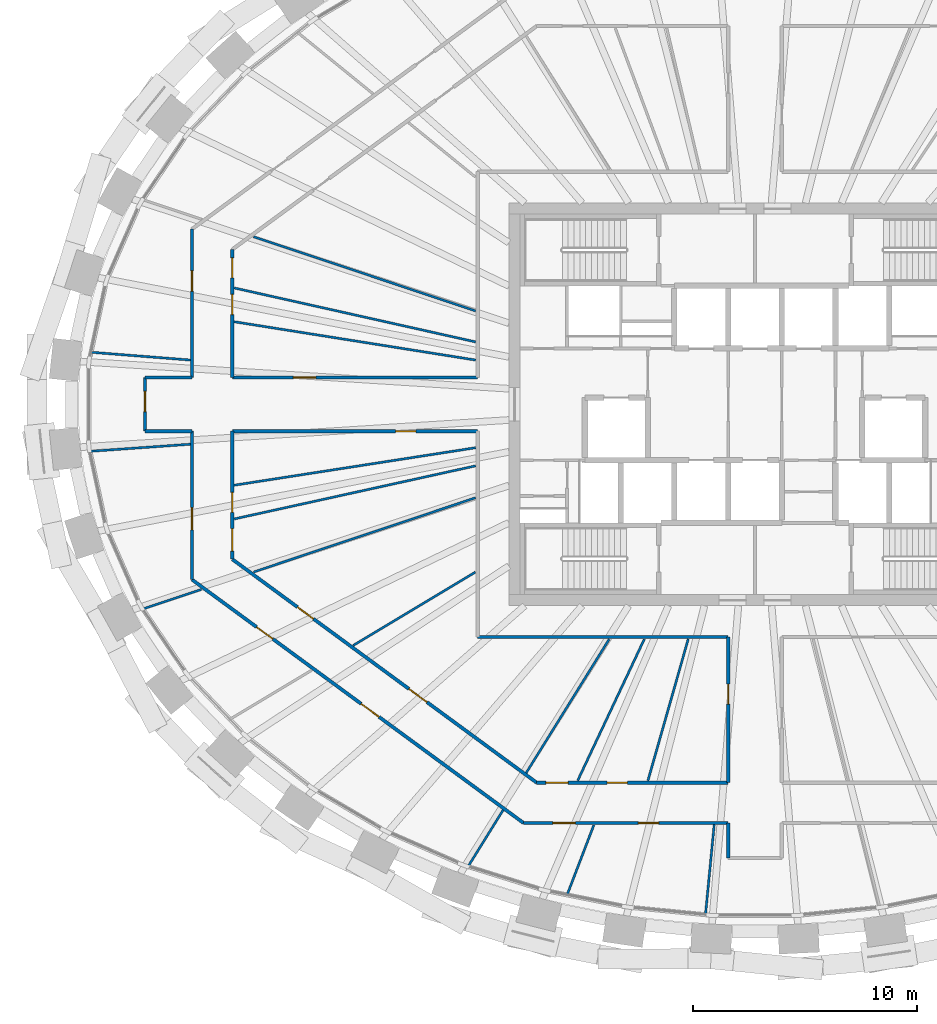
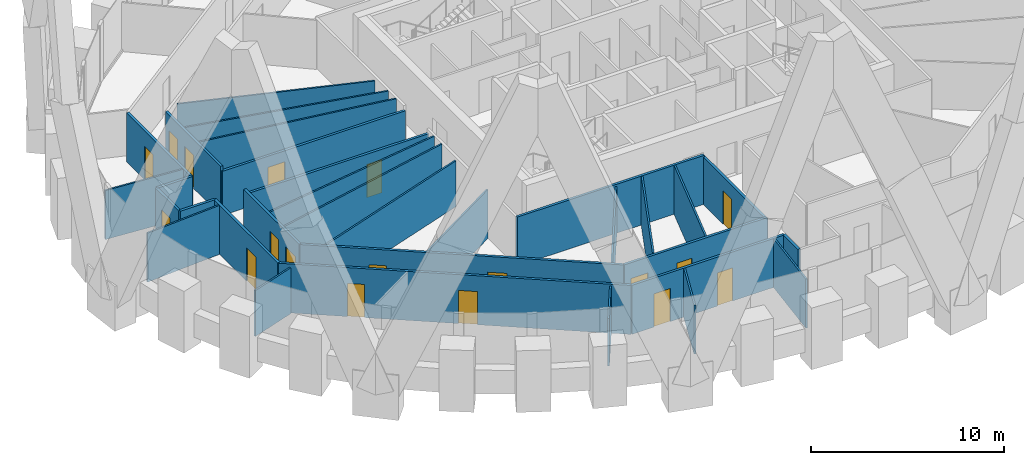
# One storey, part 7 of 14: 32 walls, 18 doors, 18 openings.
"""IFC4 building model written with IfcOpenShell, lengths in metres."""

from ifc_helpers import new_model, si_unit, direction, frame, frame_2d, origin, place, context, subcontext, project, spatial, rectangle, extrude, source, transform, mapped, material, layer, layer_set, type_object, element, fill, save


model = new_model("IFC4")

# Units and contexts
model_context = context("Model", 3, precision=1e-05, world=origin(), true_north=direction((0.0, 1.0)))
body_context = subcontext(model_context, "Body", "Model", "MODEL_VIEW")
ifc_project = project(units=[si_unit("LENGTHUNIT", "METRE"), si_unit("AREAUNIT", "SQUARE_METRE"), si_unit("VOLUMEUNIT", "CUBIC_METRE"), si_unit("PLANEANGLEUNIT", "RADIAN"), si_unit("MASSUNIT", "GRAM", prefix="KILO")], contexts=[model_context])

# Site, building, storey
site_placement = place(None, origin())
site = spatial("IfcSite", under=ifc_project, at=site_placement, CompositionType="ELEMENT")
building_placement = place(site_placement, origin())
building = spatial("IfcBuilding", under=site, at=building_placement, Name="Embergate Tower", CompositionType="ELEMENT")
storey_placement = place(building_placement, frame((0.0, 0.0, 297.39990234375)))
storey = spatial("IfcBuildingStorey", under=building, at=storey_placement, Name="L69", CompositionType="ELEMENT", Elevation=297.39990234375)

# Wall
ifc_material_1 = material(Name="Corridor wall dry-lined 150")
ifc_layer_1 = layer(ifc_material_1, 0.14990234375)
ifc_layer_set_1 = layer_set([ifc_layer_1], Name="Corridor wall dry-lined 150")
wall_type_1 = type_object("IfcWallType", Name="Corridor wall dry-lined 150", PredefinedType="PARTITIONING", material=ifc_layer_set_1)
shared_shape_1 = source(origin(), body_context, "Body", "SweptSolid", [
    extrude(rectangle(XDim=11.199951171875, YDim=0.14990234375, at=frame_2d((5.60009765625, 0.0))), origin(), (0.0, 0.0, 1.0), 3.10009765625),
])
wall_1_placement = place(storey_placement, frame((-12.39990234375, -10.39990234375, 0.0), z_axis=(0.0, 0.0, 1.0), x_axis=(1.0, 0.0, 0.0)))
element("IfcWall", 1, at=wall_1_placement, inside=storey, type_object=wall_type_1, Name="IP-2 wall", PredefinedType="PARTITIONING", context=body_context, shape_type="MappedRepresentation", body=[
    mapped(shared_shape_1, transform((0.0, 0.0, 0.0))),
])

# Wall, opening, door
shared_shape_2 = source(origin(), body_context, "Body", "SweptSolid", [
    extrude(rectangle(XDim=2.39990234375, YDim=0.14990234375, at=frame_2d((1.199951171875, 0.0))), origin(), (0.0, 0.0, 1.0), 3.10009765625),
])
wall_2_placement = place(storey_placement, frame((-27.264892578125, -1.199951171875, 0.0), z_axis=(0.0, 0.0, 1.0), x_axis=(0.0, 1.0, 0.0)))
wall_2 = element("IfcWall", 2, at=wall_2_placement, inside=storey, type_object=wall_type_1, Name="IP-2 wall", PredefinedType="PARTITIONING", context=body_context, shape_type="MappedRepresentation", body=[
    mapped(shared_shape_2, transform((0.0, 0.0, 0.0))),
])
shared_shape_3 = source(origin(), body_context, "Body", "SweptSolid", [
    extrude(rectangle(XDim=0.89990234375, YDim=2.10009765625, at=frame_2d((0.449951171875, 1.050048828125))), frame((0.0, 0.0849609375, 0.0), z_axis=(0.0, -1.0, 0.0), x_axis=(1.0, 0.0, 0.0)), (0.0, 0.0, 1.0), 0.169921875),
])
opening_1_placement = place(wall_2_placement, frame((0.8759765625, 0.0, 0.0)))
opening_1 = element("IfcOpeningElement", 3, at=opening_1_placement, cuts=wall_2, Name="Opening IF-1c", PredefinedType="OPENING", context=body_context, shape_type="MappedRepresentation", body=[
    mapped(shared_shape_3, transform((0.0, 0.0, 0.0))),
])
ifc_material_2 = material(Name="Escape fire door 900")
door_type_1 = type_object("IfcDoorType", Name="Escape fire door 900", OperationType="SINGLE_SWING_LEFT", PredefinedType="DOOR", material=ifc_material_2)
shared_shape_4 = source(origin(), body_context, "Body", "SweptSolid", [
    extrude(rectangle(XDim=0.89990234375, YDim=2.10009765625, at=frame_2d((0.449951171875, 1.050048828125))), frame((0.0, 0.02490234375, 0.0), z_axis=(0.0, -1.0, 0.0), x_axis=(1.0, 0.0, 0.0)), (0.0, 0.0, 1.0), 0.050048828125),
])
door_1_placement = place(opening_1_placement, origin())
door_1 = element("IfcDoor", 4, at=door_1_placement, inside=storey, type_object=door_type_1, Name="IF-1 door", OperationType="SINGLE_SWING_LEFT", OverallHeight=2.10009765625, OverallWidth=0.89990234375, PredefinedType="DOOR", context=body_context, shape_type="MappedRepresentation", body=[
    mapped(shared_shape_4, transform((0.0, 0.0, 0.0))),
])
fill(opening_1, door_1)

# Wall, openings, doors
shared_shape_5 = source(origin(), body_context, "Body", "SweptSolid", [
    extrude(rectangle(XDim=18.38427734375, YDim=0.14990234375, at=frame_2d((9.192138671875, 0.0))), origin(), (0.0, 0.0, 1.0), 3.10009765625),
])
wall_3_placement = place(storey_placement, frame((-25.166015625, -7.833984375, 0.0), z_axis=(0.0, 0.0, 1.0), x_axis=(0.80612330372, -0.591747597545, 0.0)))
wall_3 = element("IfcWall", 5, at=wall_3_placement, inside=storey, type_object=wall_type_1, Name="IP-2 wall", PredefinedType="PARTITIONING", context=body_context, shape_type="MappedRepresentation", body=[
    mapped(shared_shape_5, transform((0.0, 0.0, 0.0))),
])
opening_2_placement = place(wall_3_placement, frame((3.58349609375, 0.0, 0.0)))
opening_2 = element("IfcOpeningElement", 6, at=opening_2_placement, cuts=wall_3, Name="Opening IF-1c", PredefinedType="OPENING", context=body_context, shape_type="MappedRepresentation", body=[
    mapped(shared_shape_3, transform((0.0, 0.0, 0.0))),
])
shared_shape_6 = source(origin(), body_context, "Body", "SweptSolid", [
    extrude(rectangle(XDim=1.0, YDim=2.10009765625, at=frame_2d((0.5, 1.050048828125))), frame((0.0, 0.0849609375, 0.0), z_axis=(0.0, -1.0, 0.0), x_axis=(1.0, 0.0, 0.0)), (0.0, 0.0, 1.0), 0.169921875),
])
opening_3_placement = place(wall_3_placement, frame((9.37744140625, 0.0, 0.0)))
opening_3 = element("IfcOpeningElement", 7, at=opening_3_placement, cuts=wall_3, Name="Opening ID-2", PredefinedType="OPENING", context=body_context, shape_type="MappedRepresentation", body=[
    mapped(shared_shape_6, transform((0.0, 0.0, 0.0))),
])
door_2_placement = place(opening_2_placement, origin())
door_2 = element("IfcDoor", 8, at=door_2_placement, inside=storey, type_object=door_type_1, Name="IF-1 door", OperationType="SINGLE_SWING_RIGHT", OverallHeight=2.10009765625, OverallWidth=0.89990234375, PredefinedType="DOOR", context=body_context, shape_type="MappedRepresentation", body=[
    mapped(shared_shape_4, transform((0.0, 0.0, 0.0))),
])
fill(opening_2, door_2)
ifc_material_3 = material(Name="Interior door 1000")
door_type_2 = type_object("IfcDoorType", Name="Interior door 1000", OperationType="SINGLE_SWING_LEFT", PredefinedType="DOOR", material=ifc_material_3)
shared_shape_7 = source(origin(), body_context, "Body", "SweptSolid", [
    extrude(rectangle(XDim=1.0, YDim=2.10009765625, at=frame_2d((0.5, 1.050048828125))), frame((0.0, 0.02490234375, 0.0), z_axis=(0.0, -1.0, 0.0), x_axis=(1.0, 0.0, 0.0)), (0.0, 0.0, 1.0), 0.050048828125),
])
door_3_placement = place(opening_3_placement, origin())
door_3 = element("IfcDoor", 9, at=door_3_placement, inside=storey, type_object=door_type_2, Name="ID-2 door", OperationType="SINGLE_SWING_LEFT", OverallHeight=2.10009765625, OverallWidth=1.0, PredefinedType="DOOR", context=body_context, shape_type="MappedRepresentation", body=[
    mapped(shared_shape_7, transform((0.0, 0.0, 0.0))),
])
fill(opening_3, door_3)

shared_shape_8 = source(origin(), body_context, "Body", "SweptSolid", [
    extrude(rectangle(XDim=16.8828125, YDim=0.14990234375, at=frame_2d((8.44140625, 0.0))), origin(), (0.0, 0.0, 1.0), 3.10009765625),
])
wall_4_placement = place(storey_placement, frame((-9.756103515625, -16.9130859375, 0.0), z_axis=(0.0, 0.0, 1.0), x_axis=(-0.806138724475, 0.591726589653, 0.0)))
wall_4 = element("IfcWall", 10, at=wall_4_placement, inside=storey, type_object=wall_type_1, Name="IP-2 wall", PredefinedType="PARTITIONING", context=body_context, shape_type="MappedRepresentation", body=[
    mapped(shared_shape_8, transform((0.0, 0.0, 0.0))),
])
opening_4_placement = place(wall_4_placement, frame((12.373779296875, 0.0, 0.0)))
opening_4 = element("IfcOpeningElement", 11, at=opening_4_placement, cuts=wall_4, Name="Opening IF-1c", PredefinedType="OPENING", context=body_context, shape_type="MappedRepresentation", body=[
    mapped(shared_shape_3, transform((0.0, 0.0, 0.0))),
])
opening_5_placement = place(wall_4_placement, frame((6.087890625, 0.0, 0.0)))
opening_5 = element("IfcOpeningElement", 12, at=opening_5_placement, cuts=wall_4, Name="Opening ID-2", PredefinedType="OPENING", context=body_context, shape_type="MappedRepresentation", body=[
    mapped(shared_shape_6, transform((0.0, 0.0, 0.0))),
])
door_4_placement = place(opening_4_placement, origin())
door_4 = element("IfcDoor", 13, at=door_4_placement, inside=storey, type_object=door_type_1, Name="IF-1 door", OperationType="SINGLE_SWING_LEFT", OverallHeight=2.10009765625, OverallWidth=0.89990234375, PredefinedType="DOOR", context=body_context, shape_type="MappedRepresentation", body=[
    mapped(shared_shape_4, transform((0.0, 0.0, 0.0))),
])
fill(opening_4, door_4)
door_5_placement = place(opening_5_placement, origin())
door_5 = element("IfcDoor", 14, at=door_5_placement, inside=storey, type_object=door_type_2, Name="ID-2 door", OperationType="SINGLE_SWING_LEFT", OverallHeight=2.10009765625, OverallWidth=1.0, PredefinedType="DOOR", context=body_context, shape_type="MappedRepresentation", body=[
    mapped(shared_shape_7, transform((0.0, 0.0, 0.0))),
])
fill(opening_5, door_5)

shared_shape_9 = source(origin(), body_context, "Body", "SweptSolid", [
    extrude(rectangle(XDim=9.14599609375, YDim=0.14990234375, at=frame_2d((4.572998046875, 0.0))), origin(), (0.0, 0.0, 1.0), 3.10009765625),
])
wall_5_placement = place(storey_placement, frame((-10.345947265625, -18.712890625, 0.0), z_axis=(0.0, 0.0, 1.0), x_axis=(1.0, 0.0, 0.0)))
wall_5 = element("IfcWall", 15, at=wall_5_placement, inside=storey, type_object=wall_type_1, Name="IP-2 wall", PredefinedType="PARTITIONING", context=body_context, shape_type="MappedRepresentation", body=[
    mapped(shared_shape_9, transform((0.0, 0.0, 0.0))),
])
opening_6_placement = place(wall_5_placement, frame((1.31298828125, 0.0, 0.0)))
opening_6 = element("IfcOpeningElement", 16, at=opening_6_placement, cuts=wall_5, Name="Opening ID-2", PredefinedType="OPENING", context=body_context, shape_type="MappedRepresentation", body=[
    mapped(shared_shape_6, transform((0.0, 0.0, 0.0))),
])
opening_7_placement = place(wall_5_placement, frame((5.135009765625, 0.0, 0.0)))
opening_7 = element("IfcOpeningElement", 17, at=opening_7_placement, cuts=wall_5, Name="Opening IF-1c", PredefinedType="OPENING", context=body_context, shape_type="MappedRepresentation", body=[
    mapped(shared_shape_3, transform((0.0, 0.0, 0.0))),
])
door_6_placement = place(opening_7_placement, origin())
door_6 = element("IfcDoor", 18, at=door_6_placement, inside=storey, type_object=door_type_1, Name="IF-1 door", OperationType="SINGLE_SWING_RIGHT", OverallHeight=2.10009765625, OverallWidth=0.89990234375, PredefinedType="DOOR", context=body_context, shape_type="MappedRepresentation", body=[
    mapped(shared_shape_4, transform((0.0, 0.0, 0.0))),
])
fill(opening_7, door_6)
door_7_placement = place(opening_6_placement, origin())
door_7 = element("IfcDoor", 19, at=door_7_placement, inside=storey, type_object=door_type_2, Name="ID-2 door", OperationType="SINGLE_SWING_LEFT", OverallHeight=2.10009765625, OverallWidth=1.0, PredefinedType="DOOR", context=body_context, shape_type="MappedRepresentation", body=[
    mapped(shared_shape_7, transform((0.0, 0.0, 0.0))),
])
fill(opening_6, door_7)

# Wall
shared_shape_10 = source(origin(), body_context, "Body", "SweptSolid", [
    extrude(rectangle(XDim=1.568115234375, YDim=0.14990234375, at=frame_2d((0.7841796875, 0.0))), origin(), (0.0, 0.0, 1.0), 3.10009765625),
])
wall_6_placement = place(storey_placement, frame((-1.199951171875, -20.281005859375, 0.0), z_axis=(0.0, 0.0, 1.0), x_axis=(0.0, 1.0, 0.0)))
element("IfcWall", 20, at=wall_6_placement, inside=storey, type_object=wall_type_1, Name="IP-2 wall", PredefinedType="PARTITIONING", context=body_context, shape_type="MappedRepresentation", body=[
    mapped(shared_shape_10, transform((0.0, 0.0, 0.0))),
])

# Wall, openings, doors
shared_shape_11 = source(origin(), body_context, "Body", "SweptSolid", [
    extrude(rectangle(XDim=8.55615234375, YDim=0.14990234375, at=frame_2d((4.278076171875, 0.0))), origin(), (0.0, 0.0, 1.0), 3.10009765625),
])
wall_7_placement = place(storey_placement, frame((-1.199951171875, -16.9130859375, 0.0), z_axis=(0.0, 0.0, 1.0), x_axis=(-1.0, 0.0, 0.0)))
wall_7 = element("IfcWall", 21, at=wall_7_placement, inside=storey, type_object=wall_type_1, Name="IP-2 wall", PredefinedType="PARTITIONING", context=body_context, shape_type="MappedRepresentation", body=[
    mapped(shared_shape_11, transform((0.0, 0.0, 0.0))),
])
opening_8_placement = place(wall_7_placement, frame((7.14990234375, 0.0, 0.0)))
opening_8 = element("IfcOpeningElement", 22, at=opening_8_placement, cuts=wall_7, Name="Opening ID-2", PredefinedType="OPENING", context=body_context, shape_type="MappedRepresentation", body=[
    mapped(shared_shape_6, transform((0.0, 0.0, 0.0))),
])
opening_9_placement = place(wall_7_placement, frame((4.509033203125, 0.0, 0.0)))
opening_9 = element("IfcOpeningElement", 23, at=opening_9_placement, cuts=wall_7, Name="Opening IF-1c", PredefinedType="OPENING", context=body_context, shape_type="MappedRepresentation", body=[
    mapped(shared_shape_3, transform((0.0, 0.0, 0.0))),
])
door_8_placement = place(opening_9_placement, origin())
door_8 = element("IfcDoor", 24, at=door_8_placement, inside=storey, type_object=door_type_1, Name="IF-1 door", OperationType="SINGLE_SWING_RIGHT", OverallHeight=2.10009765625, OverallWidth=0.89990234375, PredefinedType="DOOR", context=body_context, shape_type="MappedRepresentation", body=[
    mapped(shared_shape_4, transform((0.0, 0.0, 0.0))),
])
fill(opening_9, door_8)
door_9_placement = place(opening_8_placement, origin())
door_9 = element("IfcDoor", 25, at=door_9_placement, inside=storey, type_object=door_type_2, Name="ID-2 door", OperationType="SINGLE_SWING_RIGHT", OverallHeight=2.10009765625, OverallWidth=1.0, PredefinedType="DOOR", context=body_context, shape_type="MappedRepresentation", body=[
    mapped(shared_shape_7, transform((0.0, 0.0, 0.0))),
])
fill(opening_8, door_9)

# Wall, opening, door
shared_shape_12 = source(origin(), body_context, "Body", "SweptSolid", [
    extrude(rectangle(XDim=6.51318359375, YDim=0.14990234375, at=frame_2d((3.256591796875, 0.0))), origin(), (0.0, 0.0, 1.0), 3.0),
])
wall_8_placement = place(storey_placement, frame((-1.199951171875, -16.9130859375, 0.0), z_axis=(0.0, 0.0, 1.0), x_axis=(0.0, 1.0, 0.0)))
wall_8 = element("IfcWall", 26, at=wall_8_placement, inside=storey, type_object=wall_type_1, Name="IP-2 wall", PredefinedType="PARTITIONING", context=body_context, shape_type="MappedRepresentation", body=[
    mapped(shared_shape_12, transform((0.0, 0.0, 0.0))),
])
opening_10_placement = place(wall_8_placement, frame((3.50830078125, 0.0, 0.0)))
opening_10 = element("IfcOpeningElement", 27, at=opening_10_placement, cuts=wall_8, Name="Opening IF-1c", PredefinedType="OPENING", context=body_context, shape_type="MappedRepresentation", body=[
    mapped(shared_shape_3, transform((0.0, 0.0, 0.0))),
])
door_10_placement = place(opening_10_placement, origin())
door_10 = element("IfcDoor", 28, at=door_10_placement, inside=storey, type_object=door_type_1, Name="IF-1 door", OperationType="SINGLE_SWING_LEFT", OverallHeight=2.10009765625, OverallWidth=0.89990234375, PredefinedType="DOOR", context=body_context, shape_type="MappedRepresentation", body=[
    mapped(shared_shape_4, transform((0.0, 0.0, 0.0))),
])
fill(opening_10, door_10)

shared_shape_13 = source(origin(), body_context, "Body", "SweptSolid", [
    extrude(rectangle(XDim=6.634033203125, YDim=0.14990234375, at=frame_2d((3.31689453125, 0.0))), origin(), (0.0, 0.0, 1.0), 3.10009765625),
])
wall_9_placement = place(storey_placement, frame((-25.166015625, 1.199951171875, 0.0), z_axis=(0.0, 0.0, 1.0), x_axis=(0.0, 1.0, 0.0)))
wall_9 = element("IfcWall", 29, at=wall_9_placement, inside=storey, type_object=wall_type_1, Name="IP-2 wall", PredefinedType="PARTITIONING", context=body_context, shape_type="MappedRepresentation", body=[
    mapped(shared_shape_13, transform((0.0, 0.0, 0.0))),
])
opening_11_placement = place(wall_9_placement, frame((3.864990234375, 0.0, 0.0)))
opening_11 = element("IfcOpeningElement", 30, at=opening_11_placement, cuts=wall_9, Name="Opening IF-1c", PredefinedType="OPENING", context=body_context, shape_type="MappedRepresentation", body=[
    mapped(shared_shape_3, transform((0.0, 0.0, 0.0))),
])
door_11_placement = place(opening_11_placement, origin())
door_11 = element("IfcDoor", 31, at=door_11_placement, inside=storey, type_object=door_type_1, Name="IF-1 door", OperationType="SINGLE_SWING_RIGHT", OverallHeight=2.10009765625, OverallWidth=0.89990234375, PredefinedType="DOOR", context=body_context, shape_type="MappedRepresentation", body=[
    mapped(shared_shape_4, transform((0.0, 0.0, 0.0))),
])
fill(opening_11, door_11)

wall_10_placement = place(storey_placement, frame((-25.166015625, -7.833984375, 0.0), z_axis=(0.0, 0.0, 1.0), x_axis=(0.0, 1.0, 0.0)))
wall_10 = element("IfcWall", 32, at=wall_10_placement, inside=storey, type_object=wall_type_1, Name="IP-2 wall", PredefinedType="PARTITIONING", context=body_context, shape_type="MappedRepresentation", body=[
    mapped(shared_shape_13, transform((0.0, 0.0, 0.0))),
])
opening_12_placement = place(wall_10_placement, frame((2.21826171875, 0.0, 0.0)))
opening_12 = element("IfcOpeningElement", 33, at=opening_12_placement, cuts=wall_10, Name="Opening ID-2", PredefinedType="OPENING", context=body_context, shape_type="MappedRepresentation", body=[
    mapped(shared_shape_6, transform((0.0, 0.0, 0.0))),
])
door_12_placement = place(opening_12_placement, origin())
door_12 = element("IfcDoor", 34, at=door_12_placement, inside=storey, type_object=door_type_2, Name="ID-2 door", OperationType="SINGLE_SWING_LEFT", OverallHeight=2.10009765625, OverallWidth=1.0, PredefinedType="DOOR", context=body_context, shape_type="MappedRepresentation", body=[
    mapped(shared_shape_7, transform((0.0, 0.0, 0.0))),
])
fill(opening_12, door_12)

# Walls
shared_shape_14 = source(origin(), body_context, "Body", "SweptSolid", [
    extrude(rectangle(XDim=2.098876953125, YDim=0.14990234375, at=frame_2d((1.04931640625, 0.0))), origin(), (0.0, 0.0, 1.0), 3.10009765625),
])
for number, where, z_axis, x_axis, name in (
    (35, (-25.166015625, -1.199951171875, 0.0), (0.0, 0.0, 1.0), (-1.0, 0.0, 0.0), "IP-2 wall"),
    (36, (-27.264892578125, 1.199951171875, 0.0), (0.0, 0.0, 1.0), (1.0, 0.0, 0.0), "IP-2 wall"),
):
    element("IfcWall", number, at=place(storey_placement, frame(where, z_axis=z_axis, x_axis=x_axis)), inside=storey, type_object=wall_type_1, Name=name, PredefinedType="PARTITIONING", context=body_context, shape_type="MappedRepresentation", body=[
        mapped(shared_shape_14, transform((0.0, 0.0, 0.0))),
    ])

# Wall, openings, doors
shared_shape_15 = source(origin(), body_context, "Body", "SweptSolid", [
    extrude(rectangle(XDim=5.72314453125, YDim=0.14990234375, at=frame_2d((2.861572265625, 0.0))), origin(), (0.0, 0.0, 1.0), 3.10009765625),
])
wall_11_placement = place(storey_placement, frame((-23.365966796875, -1.199951171875, 0.0), z_axis=(0.0, 0.0, 1.0), x_axis=(0.0, -1.0, 0.0)))
wall_11 = element("IfcWall", 37, at=wall_11_placement, inside=storey, type_object=wall_type_1, Name="IP-2 wall", PredefinedType="PARTITIONING", context=body_context, shape_type="MappedRepresentation", body=[
    mapped(shared_shape_15, transform((0.0, 0.0, 0.0))),
])
opening_13_placement = place(wall_11_placement, frame((2.73388671875, 0.0, 0.0)))
opening_13 = element("IfcOpeningElement", 38, at=opening_13_placement, cuts=wall_11, Name="Opening IF-1c", PredefinedType="OPENING", context=body_context, shape_type="MappedRepresentation", body=[
    mapped(shared_shape_3, transform((0.0, 0.0, 0.0))),
])
opening_14_placement = place(wall_11_placement, frame((4.35791015625, 0.0, 0.0)))
opening_14 = element("IfcOpeningElement", 39, at=opening_14_placement, cuts=wall_11, Name="Opening ID-2", PredefinedType="OPENING", context=body_context, shape_type="MappedRepresentation", body=[
    mapped(shared_shape_6, transform((0.0, 0.0, 0.0))),
])
door_13_placement = place(opening_13_placement, origin())
door_13 = element("IfcDoor", 40, at=door_13_placement, inside=storey, type_object=door_type_1, Name="IF-1 door", OperationType="SINGLE_SWING_RIGHT", OverallHeight=2.10009765625, OverallWidth=0.89990234375, PredefinedType="DOOR", context=body_context, shape_type="MappedRepresentation", body=[
    mapped(shared_shape_4, transform((0.0, 0.0, 0.0))),
])
fill(opening_13, door_13)
door_14_placement = place(opening_14_placement, origin())
door_14 = element("IfcDoor", 41, at=door_14_placement, inside=storey, type_object=door_type_2, Name="ID-2 door", OperationType="SINGLE_SWING_RIGHT", OverallHeight=2.10009765625, OverallWidth=1.0, PredefinedType="DOOR", context=body_context, shape_type="MappedRepresentation", body=[
    mapped(shared_shape_7, transform((0.0, 0.0, 0.0))),
])
fill(opening_14, door_14)

wall_12_placement = place(storey_placement, frame((-23.365966796875, 1.199951171875, 0.0), z_axis=(0.0, 0.0, 1.0), x_axis=(0.0, 1.0, 0.0)))
wall_12 = element("IfcWall", 42, at=wall_12_placement, inside=storey, type_object=wall_type_1, Name="IP-2 wall", PredefinedType="PARTITIONING", context=body_context, shape_type="MappedRepresentation", body=[
    mapped(shared_shape_15, transform((0.0, 0.0, 0.0))),
])
opening_15_placement = place(wall_12_placement, frame((4.448974609375, 0.0, 0.0)))
opening_15 = element("IfcOpeningElement", 43, at=opening_15_placement, cuts=wall_12, Name="Opening IF-1c", PredefinedType="OPENING", context=body_context, shape_type="MappedRepresentation", body=[
    mapped(shared_shape_3, transform((0.0, 0.0, 0.0))),
])
opening_16_placement = place(wall_12_placement, frame((2.81396484375, 0.0, 0.0)))
opening_16 = element("IfcOpeningElement", 44, at=opening_16_placement, cuts=wall_12, Name="Opening IF-1c", PredefinedType="OPENING", context=body_context, shape_type="MappedRepresentation", body=[
    mapped(shared_shape_3, transform((0.0, 0.0, 0.0))),
])
door_15_placement = place(opening_15_placement, origin())
door_15 = element("IfcDoor", 45, at=door_15_placement, inside=storey, type_object=door_type_1, Name="IF-1 door", OperationType="SINGLE_SWING_RIGHT", OverallHeight=2.10009765625, OverallWidth=0.89990234375, PredefinedType="DOOR", context=body_context, shape_type="MappedRepresentation", body=[
    mapped(shared_shape_4, transform((0.0, 0.0, 0.0))),
])
fill(opening_15, door_15)
door_16_placement = place(opening_16_placement, origin())
door_16 = element("IfcDoor", 46, at=door_16_placement, inside=storey, type_object=door_type_1, Name="IF-1 door", OperationType="SINGLE_SWING_LEFT", OverallHeight=2.10009765625, OverallWidth=0.89990234375, PredefinedType="DOOR", context=body_context, shape_type="MappedRepresentation", body=[
    mapped(shared_shape_4, transform((0.0, 0.0, 0.0))),
])
fill(opening_16, door_16)

# Wall, opening, door
shared_shape_16 = source(origin(), body_context, "Body", "SweptSolid", [
    extrude(rectangle(XDim=10.966064453125, YDim=0.14990234375, at=frame_2d((5.48291015625, 0.0))), origin(), (0.0, 0.0, 1.0), 2.800048828125),
])
wall_13_placement = place(storey_placement, frame((-12.39990234375, -1.199951171875, 0.0), z_axis=(0.0, 0.0, 1.0), x_axis=(-1.0, 0.0, 0.0)))
wall_13 = element("IfcWall", 47, at=wall_13_placement, inside=storey, type_object=wall_type_1, Name="IP-2 wall", PredefinedType="PARTITIONING", context=body_context, shape_type="MappedRepresentation", body=[
    mapped(shared_shape_16, transform((0.0, 0.0, 0.0))),
])
opening_17_placement = place(wall_13_placement, frame((2.760986328125, 0.0, 0.0)))
opening_17 = element("IfcOpeningElement", 48, at=opening_17_placement, cuts=wall_13, Name="Opening IF-1c", PredefinedType="OPENING", context=body_context, shape_type="MappedRepresentation", body=[
    mapped(shared_shape_3, transform((0.0, 0.0, 0.0))),
])
door_17_placement = place(opening_17_placement, origin())
door_17 = element("IfcDoor", 49, at=door_17_placement, inside=storey, type_object=door_type_1, Name="IF-1 door", OperationType="SINGLE_SWING_RIGHT", OverallHeight=2.10009765625, OverallWidth=0.89990234375, PredefinedType="DOOR", context=body_context, shape_type="MappedRepresentation", body=[
    mapped(shared_shape_4, transform((0.0, 0.0, 0.0))),
])
fill(opening_17, door_17)

wall_14_placement = place(storey_placement, frame((-23.365966796875, 1.199951171875, 0.0), z_axis=(0.0, 0.0, 1.0), x_axis=(1.0, 0.0, 0.0)))
wall_14 = element("IfcWall", 50, at=wall_14_placement, inside=storey, type_object=wall_type_1, Name="IP-2 wall", PredefinedType="PARTITIONING", context=body_context, shape_type="MappedRepresentation", body=[
    mapped(shared_shape_16, transform((0.0, 0.0, 0.0))),
])
opening_18_placement = place(wall_14_placement, frame((2.734619140625, 0.0, 0.0)))
opening_18 = element("IfcOpeningElement", 51, at=opening_18_placement, cuts=wall_14, Name="Opening ID-2", PredefinedType="OPENING", context=body_context, shape_type="MappedRepresentation", body=[
    mapped(shared_shape_6, transform((0.0, 0.0, 0.0))),
])
door_18_placement = place(opening_18_placement, origin())
door_18 = element("IfcDoor", 52, at=door_18_placement, inside=storey, type_object=door_type_2, Name="ID-2 door", OperationType="SINGLE_SWING_LEFT", OverallHeight=2.10009765625, OverallWidth=1.0, PredefinedType="DOOR", context=body_context, shape_type="MappedRepresentation", body=[
    mapped(shared_shape_7, transform((0.0, 0.0, 0.0))),
])
fill(opening_18, door_18)

# Walls
ifc_material_4 = material(Name="Partition dry-lined 100")
ifc_layer_2 = layer(ifc_material_4, 0.10009765625)
ifc_layer_set_2 = layer_set([ifc_layer_2], Name="Partition dry-lined 100")
wall_type_2 = type_object("IfcWallType", Name="Partition dry-lined 100", PredefinedType="PARTITIONING", material=ifc_layer_set_2)
shared_shape_17 = source(origin(), body_context, "Body", "SweptSolid", [
    extrude(rectangle(XDim=2.969482421875, YDim=0.10009765625, at=frame_2d((1.48486328125, 0.0))), origin(), (0.0, 0.0, 1.0), 3.0),
])
wall_15_placement = place(storey_placement, frame((-11.259033203125, -18.135986328125, 0.0), z_axis=(0.0, 0.0, 1.0), x_axis=(-0.527350581852, -0.849647788098, 0.0)))
element("IfcWall", 53, at=wall_15_placement, inside=storey, type_object=wall_type_2, Name="IP-1 wall", PredefinedType="PARTITIONING", context=body_context, shape_type="MappedRepresentation", body=[
    mapped(shared_shape_17, transform((0.0, 0.0, 0.0))),
])
shared_shape_18 = source(origin(), body_context, "Body", "SweptSolid", [
    extrude(rectangle(XDim=6.365966796875, YDim=0.10009765625, at=frame_2d((3.18310546875, 0.0))), origin(), (0.0, 0.0, 1.0), 3.10009765625),
])
wall_16_placement = place(storey_placement, frame((-12.5009765625, -7.4990234375, 0.0), z_axis=(0.0, 0.0, 1.0), x_axis=(-0.857526762912, -0.51443935589, 0.0)))
element("IfcWall", 54, at=wall_16_placement, inside=storey, type_object=wall_type_2, Name="IP-1 wall", PredefinedType="PARTITIONING", context=body_context, shape_type="MappedRepresentation", body=[
    mapped(shared_shape_18, transform((0.0, 0.0, 0.0))),
])
shared_shape_19 = source(origin(), body_context, "Body", "SweptSolid", [
    extrude(rectangle(XDim=7.03125, YDim=0.10009765625, at=frame_2d((3.515625, 0.0))), origin(), (0.0, 0.0, 1.0), 3.0),
])
wall_17_placement = place(storey_placement, frame((-6.51904296875, -10.5009765625, 0.0), z_axis=(0.0, 0.0, 1.0), x_axis=(-0.527355947188, -0.849644457973, 0.0)))
element("IfcWall", 55, at=wall_17_placement, inside=storey, type_object=wall_type_2, Name="IP-1 wall", PredefinedType="PARTITIONING", context=body_context, shape_type="MappedRepresentation", body=[
    mapped(shared_shape_19, transform((0.0, 0.0, 0.0))),
])
shared_shape_20 = source(origin(), body_context, "Body", "SweptSolid", [
    extrude(rectangle(XDim=3.36767578125, YDim=0.10009765625, at=frame_2d((1.683837890625, 0.0))), origin(), (0.0, 0.0, 1.0), 3.10009765625),
])
wall_18_placement = place(storey_placement, frame((-7.202880859375, -18.805908203125, 0.0), z_axis=(0.0, 0.0, 1.0), x_axis=(-0.357550412508, -0.933893838996, 0.0)))
element("IfcWall", 56, at=wall_18_placement, inside=storey, type_object=wall_type_2, Name="IP-1 wall", PredefinedType="PARTITIONING", context=body_context, shape_type="MappedRepresentation", body=[
    mapped(shared_shape_20, transform((0.0, 0.0, 0.0))),
])
shared_shape_21 = source(origin(), body_context, "Body", "SweptSolid", [
    extrude(rectangle(XDim=4.044921875, YDim=0.10009765625, at=frame_2d((2.0224609375, 0.0))), origin(), (0.0, 0.0, 1.0), 3.10009765625),
])
wall_19_placement = place(storey_placement, frame((-1.822021484375, -18.7880859375, 0.0), z_axis=(0.0, 0.0, 1.0), x_axis=(-0.096634759005, -0.995319910055, 0.0)))
element("IfcWall", 57, at=wall_19_placement, inside=storey, type_object=wall_type_2, Name="IP-1 wall", PredefinedType="PARTITIONING", context=body_context, shape_type="MappedRepresentation", body=[
    mapped(shared_shape_21, transform((0.0, 0.0, 0.0))),
])
shared_shape_22 = source(origin(), body_context, "Body", "SweptSolid", [
    extrude(rectangle(XDim=6.9873046875, YDim=0.10009765625, at=frame_2d((3.49365234375, 0.0))), origin(), (0.0, 0.0, 1.0), 3.10009765625),
])
wall_20_placement = place(storey_placement, frame((-4.947021484375, -10.49609375, 0.0), z_axis=(0.0, 0.0, 1.0), x_axis=(-0.426210939292, -0.904623808679, 0.0)))
element("IfcWall", 58, at=wall_20_placement, inside=storey, type_object=wall_type_2, Name="IP-1 wall", PredefinedType="PARTITIONING", context=body_context, shape_type="MappedRepresentation", body=[
    mapped(shared_shape_22, transform((0.0, 0.0, 0.0))),
])
shared_shape_23 = source(origin(), body_context, "Body", "SweptSolid", [
    extrude(rectangle(XDim=6.58740234375, YDim=0.10009765625, at=frame_2d((3.293701171875, 0.0))), origin(), (0.0, 0.0, 1.0), 3.10009765625),
])
wall_21_placement = place(storey_placement, frame((-2.98291015625, -10.489013671875, 0.0), z_axis=(0.0, 0.0, 1.0), x_axis=(-0.273697939772, -0.961815698439, 0.0)))
element("IfcWall", 59, at=wall_21_placement, inside=storey, type_object=wall_type_2, Name="IP-1 wall", PredefinedType="PARTITIONING", context=body_context, shape_type="MappedRepresentation", body=[
    mapped(shared_shape_23, transform((0.0, 0.0, 0.0))),
])
shared_shape_24 = source(origin(), body_context, "Body", "SweptSolid", [
    extrude(rectangle(XDim=4.4716796875, YDim=0.10009765625, at=frame_2d((2.23583984375, 0.0))), origin(), (0.0, 0.0, 1.0), 3.10009765625),
])
wall_22_placement = place(storey_placement, frame((-25.240966796875, 1.98095703125, 0.0), z_axis=(0.0, 0.0, 1.0), x_axis=(-0.996930528603, 0.07829125838, 0.0)))
element("IfcWall", 60, at=wall_22_placement, inside=storey, type_object=wall_type_2, Name="IP-1 wall", PredefinedType="PARTITIONING", context=body_context, shape_type="MappedRepresentation", body=[
    mapped(shared_shape_24, transform((0.0, 0.0, 0.0))),
])
shared_shape_25 = source(origin(), body_context, "Body", "SweptSolid", [
    extrude(rectangle(XDim=4.503173828125, YDim=0.10009765625, at=frame_2d((2.25146484375, 0.0))), origin(), (0.0, 0.0, 1.0), 3.10009765625),
])
wall_23_placement = place(storey_placement, frame((-25.240966796875, -1.781982421875, 0.0), z_axis=(0.0, 0.0, 1.0), x_axis=(-0.997516981366, -0.070426357889, 0.0)))
element("IfcWall", 61, at=wall_23_placement, inside=storey, type_object=wall_type_2, Name="IP-1 wall", PredefinedType="PARTITIONING", context=body_context, shape_type="MappedRepresentation", body=[
    mapped(shared_shape_25, transform((0.0, 0.0, 0.0))),
])
shared_shape_26 = source(origin(), body_context, "Body", "SweptSolid", [
    extrude(rectangle(XDim=10.929443359375, YDim=0.10009765625, at=frame_2d((5.46484375, 0.0))), origin(), (0.0, 0.0, 1.0), 3.10009765625),
])
wall_24_placement = place(storey_placement, frame((-12.48291015625, -1.93798828125, 0.0), z_axis=(0.0, 0.0, 1.0), x_axis=(-0.988158200107, -0.153438494395, 0.0)))
element("IfcWall", 62, at=wall_24_placement, inside=storey, type_object=wall_type_2, Name="IP-1 wall", PredefinedType="PARTITIONING", context=body_context, shape_type="MappedRepresentation", body=[
    mapped(shared_shape_26, transform((0.0, 0.0, 0.0))),
])
shared_shape_27 = source(origin(), body_context, "Body", "SweptSolid", [
    extrude(rectangle(XDim=11.05224609375, YDim=0.10009765625, at=frame_2d((5.526123046875, 0.0))), origin(), (0.0, 0.0, 1.0), 3.10009765625),
])
wall_25_placement = place(storey_placement, frame((-12.486083984375, -2.748046875, 0.0), z_axis=(0.0, 0.0, 1.0), x_axis=(-0.976638162112, -0.214890437913, 0.0)))
element("IfcWall", 63, at=wall_25_placement, inside=storey, type_object=wall_type_2, Name="IP-1 wall", PredefinedType="PARTITIONING", context=body_context, shape_type="MappedRepresentation", body=[
    mapped(shared_shape_27, transform((0.0, 0.0, 0.0))),
])
shared_shape_28 = source(origin(), body_context, "Body", "SweptSolid", [
    extrude(rectangle(XDim=11.060302734375, YDim=0.10009765625, at=frame_2d((5.5302734375, 0.0))), origin(), (0.0, 0.0, 1.0), 3.10009765625),
])
wall_26_placement = place(storey_placement, frame((-12.486083984375, 2.791015625, 0.0), z_axis=(0.0, 0.0, 1.0), x_axis=(-0.97590996107, 0.218173664508, 0.0)))
element("IfcWall", 64, at=wall_26_placement, inside=storey, type_object=wall_type_2, Name="IP-1 wall", PredefinedType="PARTITIONING", context=body_context, shape_type="MappedRepresentation", body=[
    mapped(shared_shape_28, transform((0.0, 0.0, 0.0))),
])
shared_shape_29 = source(origin(), body_context, "Body", "SweptSolid", [
    extrude(rectangle(XDim=10.935302734375, YDim=0.10009765625, at=frame_2d((5.4677734375, 0.0))), origin(), (0.0, 0.0, 1.0), 3.10009765625),
])
wall_27_placement = place(storey_placement, frame((-12.48291015625, 1.97998046875, 0.0), z_axis=(0.0, 0.0, 1.0), x_axis=(-0.987638107159, 0.156751297564, 0.0)))
element("IfcWall", 65, at=wall_27_placement, inside=storey, type_object=wall_type_2, Name="IP-1 wall", PredefinedType="PARTITIONING", context=body_context, shape_type="MappedRepresentation", body=[
    mapped(shared_shape_29, transform((0.0, 0.0, 0.0))),
])
shared_shape_30 = source(origin(), body_context, "Body", "SweptSolid", [
    extrude(rectangle(XDim=2.763671875, YDim=0.10009765625, at=frame_2d((1.3818359375, 0.0))), origin(), (0.0, 0.0, 1.0), 2.900146484375),
])
wall_28_placement = place(storey_placement, frame((-24.743896484375, -8.27294921875, 0.0), z_axis=(0.0, 0.0, 1.0), x_axis=(-0.948435651282, -0.316969738897, 0.0)))
element("IfcWall", 66, at=wall_28_placement, inside=storey, type_object=wall_type_2, Name="IP-1 wall", PredefinedType="PARTITIONING", context=body_context, shape_type="MappedRepresentation", body=[
    mapped(shared_shape_30, transform((0.0, 0.0, 0.0))),
])
shared_shape_31 = source(origin(), body_context, "Body", "SweptSolid", [
    extrude(rectangle(XDim=10.462158203125, YDim=0.10009765625, at=frame_2d((5.23095703125, 0.0))), origin(), (0.0, 0.0, 1.0), 2.900146484375),
])
for number, where, z_axis, x_axis, name in (
    (67, (-12.490966796875, -4.176025390625, 0.0), (0.0, 0.0, 1.0), (-0.948381839058, -0.317130710189, 0.0), "IP-1 wall"),
    (68, (-12.490966796875, 4.176025390625, 0.0), (0.0, 0.0, 1.0), (-0.948381839058, 0.317130710189, 0.0), "IP-1 wall"),
):
    element("IfcWall", number, at=place(storey_placement, frame(where, z_axis=z_axis, x_axis=x_axis)), inside=storey, type_object=wall_type_2, Name=name, PredefinedType="PARTITIONING", context=body_context, shape_type="MappedRepresentation", body=[
        mapped(shared_shape_31, transform((0.0, 0.0, 0.0))),
    ])

save(model, "model.ifc")
